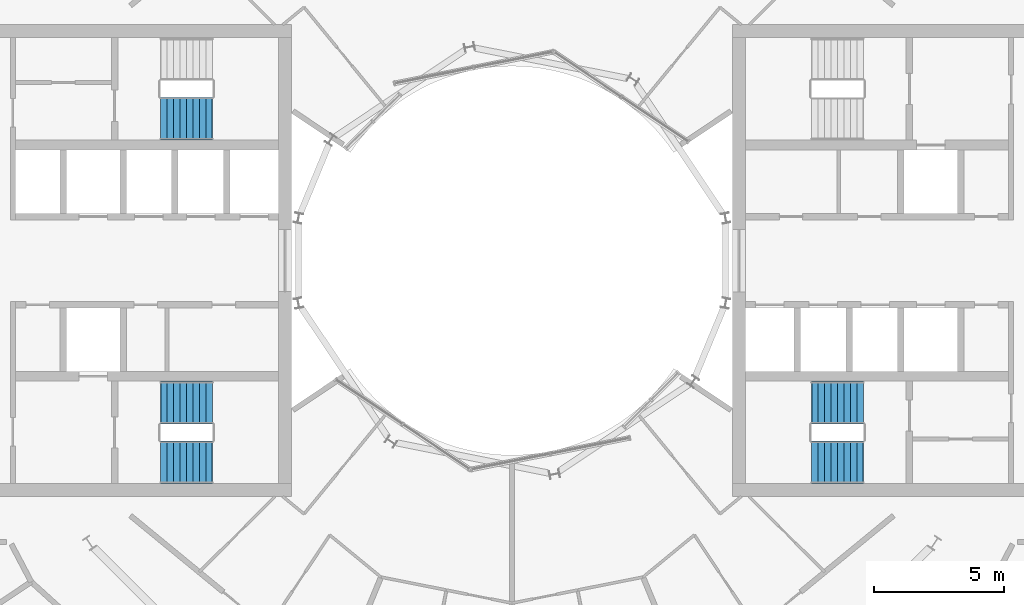
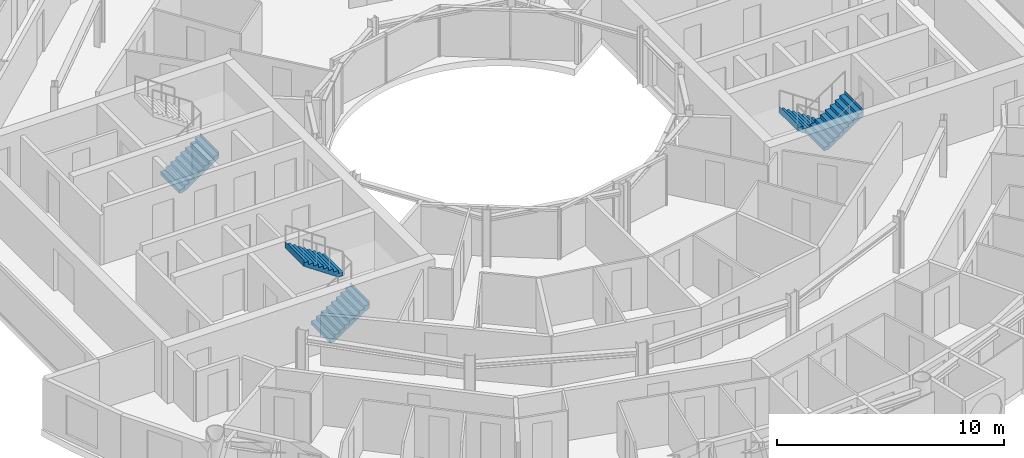
# One storey, part 24 of 27: 5 stair flights, 3 elements without a shape of their own.
"""IFC4 building model written with IfcOpenShell, lengths in metres."""

import ifcopenshell
import ifcopenshell.guid

model = None  # the IFC model being written
_history = None  # IfcOwnerHistory: only IFC2X3 demands one
_inside = {}  # id of a spatial element -> (the spatial element, [elements in it])
_under = {}  # id of a project, library or spatial element -> (it, [spatial elements below it])
_declared = {}  # id of a project -> (the project, [libraries it declares])
_typed = {}  # id of a type object -> (the type object, [elements of that type])
_made_of = {}  # id of a material, layer set ... -> (it, [elements and type objects made of it])


def new_model(schema):
    """Start an empty IFC model of exactly this schema.

    Asked for "IFC4X3", IfcOpenShell would pick the latest addendum, in which some entities
    have other attributes; the version numbers below select the first issue.
    IFC2X3 requires an IfcOwnerHistory on every rooted entity: one is made here for all.
    """
    global model, _history
    if schema == "IFC4X3":
        model = ifcopenshell.file(schema_version=(4, 3, 0, 0))
    else:
        model = ifcopenshell.file(schema=schema)
    _inside.clear()
    _under.clear()
    _declared.clear()
    _typed.clear()
    _made_of.clear()
    _history = None
    if model.schema == "IFC2X3":
        org = make("IfcOrganization", Name="unknown")
        user = make(
            "IfcPersonAndOrganization",
            ThePerson=make("IfcPerson", FamilyName="unknown"),
            TheOrganization=org,
        )
        app = make(
            "IfcApplication",
            ApplicationDeveloper=org,
            Version="unknown",
            ApplicationFullName="unknown",
            ApplicationIdentifier="unknown",
        )
        _history = make(
            "IfcOwnerHistory",
            OwningUser=user,
            OwningApplication=app,
            ChangeAction="ADDED",
            CreationDate=0,
        )
    return model


def make(cls, **values):
    """One entity of the class cls with the attributes given. An attribute that is None is left unset."""
    return model.create_entity(
        cls, **{name: value for name, value in values.items() if value is not None}
    )


def rooted(cls, **values):
    """An entity with a GlobalId (a new one), such as an element, a storey or a relation."""
    return make(cls, GlobalId=ifcopenshell.guid.new(), OwnerHistory=_history, **values)


def si_unit(unit_type, name, prefix=None):
    """IfcSIUnit, for example si_unit("LENGTHUNIT", "METRE", prefix="MILLI")."""
    return make("IfcSIUnit", UnitType=unit_type, Prefix=prefix, Name=name)


def assignment(units):
    """IfcUnitAssignment: the units of a project."""
    return None if units is None else make("IfcUnitAssignment", Units=units)


def point(xyz):
    """IfcCartesianPoint."""
    return None if xyz is None else make("IfcCartesianPoint", Coordinates=xyz)


def direction(xyz):
    """IfcDirection."""
    return None if xyz is None else make("IfcDirection", DirectionRatios=xyz)


def frame(location, z_axis=None, x_axis=None):
    """IfcAxis2Placement3D, a coordinate frame: its origin and axes. An axis left out is left unset."""
    return make(
        "IfcAxis2Placement3D",
        Location=point(location),
        Axis=direction(z_axis),
        RefDirection=direction(x_axis),
    )


def origin():
    """The frame at (0, 0, 0) with its axes left unset."""
    return frame((0.0, 0.0, 0.0))


def place(relative_to, where):
    """IfcLocalPlacement: puts the frame where relative to a parent placement (None: the world)."""
    return make(
        "IfcLocalPlacement", PlacementRelTo=relative_to, RelativePlacement=where
    )


def context(
    kind, dimensions, precision=None, world=None, true_north=None, identifier=None
):
    """IfcGeometricRepresentationContext, for example the 3D "Model" context."""
    return make(
        "IfcGeometricRepresentationContext",
        ContextIdentifier=identifier,
        ContextType=kind,
        CoordinateSpaceDimension=dimensions,
        Precision=precision,
        WorldCoordinateSystem=world,
        TrueNorth=true_north,
    )


def subcontext(parent, identifier, kind, view, scale=None):
    """IfcGeometricRepresentationSubContext, for example "Body" below "Model"."""
    return make(
        "IfcGeometricRepresentationSubContext",
        ContextIdentifier=identifier,
        ContextType=kind,
        ParentContext=parent,
        TargetScale=scale,
        TargetView=view,
    )


def project(units=None, contexts=None):
    """IfcProject with its units and contexts."""
    return rooted(
        "IfcProject",
        Name="project",
        RepresentationContexts=contexts,
        UnitsInContext=assignment(units),
    )


def spatial(cls, under=None, at=None, **own):
    """A site, building, storey or space (cls), placed at a placement, below another one or the project."""
    s = rooted(cls, ObjectPlacement=at, **own)
    if under is not None:
        _under.setdefault(under.id(), (under, []))[1].append(s)
    return s


def point_list(points):
    """IfcCartesianPointList2D or 3D."""
    cls = (
        "IfcCartesianPointList2D" if len(points[0]) == 2 else "IfcCartesianPointList3D"
    )
    return make(cls, CoordList=points)


def triangles(points, corners, closed=None, point_numbers=None):
    """IfcTriangulatedFaceSet: each triangle names its three corners, points numbered from 1."""
    return make(
        "IfcTriangulatedFaceSet",
        Coordinates=point_list(points),
        Closed=closed,
        CoordIndex=corners,
        PnIndex=point_numbers,
    )


def shape(context_of_items, identifier, shape_type, items):
    """IfcShapeRepresentation: the items that make up one representation, for example the "Body"."""
    return make(
        "IfcShapeRepresentation",
        ContextOfItems=context_of_items,
        RepresentationIdentifier=identifier,
        RepresentationType=shape_type,
        Items=items,
    )


def material(Name=None, Category=None):
    """IfcMaterial."""
    return make("IfcMaterial", Name=Name, Category=Category)


def made_of(thing, what):
    """Note that an element or type object is made of a material, layer set ...; save() writes the relation."""
    if what is not None:
        _made_of.setdefault(what.id(), (what, []))[1].append(thing)
    return thing


def type_object(cls, material=None, **own):
    """A type object (cls), such as IfcWallType, which elements share."""
    return made_of(rooted(cls, **own), material)


def element(
    cls,
    number,
    at=None,
    inside=None,
    cuts=None,
    type_object=None,
    material=None,
    context=None,
    identifier="Body",
    shape_type=None,
    held_by="IfcProductDefinitionShape",
    body=None,
    shapes=None,
    **own,
):
    """One element of the class cls, such as IfcWall. Its Tag is "e" and its number.

    at: its placement. inside: the storey or other place that contains it. cuts: it is an
    opening in that element (IfcRelVoidsElement). A single representation is given by context,
    identifier, shape_type and body (its items); several are given by shapes. held_by: the class
    of the entity that holds the representations. save() writes the other relations.
    """
    e = rooted(cls, Tag="e%d" % number, ObjectPlacement=at, **own)
    if body is not None:
        shapes = [shape(context, identifier, shape_type, body)]
    if shapes is not None:
        e.Representation = make(held_by, Representations=shapes)
    if inside is not None:
        _inside.setdefault(inside.id(), (inside, []))[1].append(e)
    if cuts is not None:
        rooted(
            "IfcRelVoidsElement", RelatingBuildingElement=cuts, RelatedOpeningElement=e
        )
    if type_object is not None:
        _typed.setdefault(type_object.id(), (type_object, []))[1].append(e)
    return made_of(e, material)


def aggregate(whole, parts):
    """IfcRelAggregates: a whole, such as a stair, and the parts it consists of."""
    return rooted("IfcRelAggregates", RelatingObject=whole, RelatedObjects=parts)


def save(model, path):
    """Write the relations noted so far, then the file.

    IfcRelAggregates (storeys below a building ...), IfcRelContainedInSpatialStructure (elements
    in a storey), IfcRelDefinesByType, IfcRelAssociatesMaterial and IfcRelDeclares: one each for
    every whole, place, type object, material and project.
    """
    for whole, parts in _under.values():
        aggregate(whole, parts)
    for where, things in _inside.values():
        rooted(
            "IfcRelContainedInSpatialStructure",
            RelatedElements=things,
            RelatingStructure=where,
        )
    for kind, things in _typed.values():
        rooted("IfcRelDefinesByType", RelatedObjects=things, RelatingType=kind)
    for what, things in _made_of.values():
        rooted("IfcRelAssociatesMaterial", RelatedObjects=things, RelatingMaterial=what)
    for by, libraries in _declared.values():
        rooted("IfcRelDeclares", RelatingContext=by, RelatedDefinitions=libraries)
    model.write(path)


model = new_model("IFC4")

# Units and contexts
model_context = context("Model", 3, precision=1e-05, world=origin(), true_north=direction((0.0, 1.0)))
body_context = subcontext(model_context, "Body", "Model", "MODEL_VIEW")
ifc_project = project(units=[si_unit("LENGTHUNIT", "METRE"), si_unit("AREAUNIT", "SQUARE_METRE"), si_unit("VOLUMEUNIT", "CUBIC_METRE"), si_unit("PLANEANGLEUNIT", "RADIAN"), si_unit("MASSUNIT", "GRAM", prefix="KILO")], contexts=[model_context])

# Site, building, storey
site_placement = place(None, origin())
site = spatial("IfcSite", under=ifc_project, at=site_placement, CompositionType="ELEMENT")
building_placement = place(site_placement, origin())
building = spatial("IfcBuilding", under=site, at=building_placement, Name="Maasbend Ring Residences", CompositionType="ELEMENT")
storey_placement = place(building_placement, frame((0.0, 0.0, 164.64990234375)))
storey = spatial("IfcBuildingStorey", under=building, at=storey_placement, Name="L47", CompositionType="ELEMENT", Elevation=164.64990234375)

# Stair, stair flights
ifc_material_1 = material(Name="Concrete C40/50", Category="concrete")
stair_type = type_object("IfcStairType", Name="CORE STAIR 18 RISERS", PredefinedType="HALF_TURN_STAIR", material=ifc_material_1)
stair_1_placement = place(storey_placement, origin())
stair_1 = element("IfcStair", 1, at=stair_1_placement, inside=storey, type_object=stair_type, Name="L47 Exit stair ST-E2", PredefinedType="HALF_TURN_STAIR")
ifc_material_2 = material(Name="Concrete C40/50", Category="concrete")
stair_flight_type = type_object("IfcStairFlightType", Name="CORE STAIR FLIGHT 1650", PredefinedType="STRAIGHT", material=ifc_material_2)
stair_flight_1_placement = place(storey_placement, frame((13.550048828125, -5.47509765625, 0.0), z_axis=(0.0, 0.0, 1.0), x_axis=(-1.0, 0.0, 0.0)))
stair_flight_1 = element("IfcStairFlight", 2, at=stair_flight_1_placement, type_object=stair_flight_type, Name="ST-E2 flight 1", NumberOfRisers=9, NumberOfTreads=8, PredefinedType="STRAIGHT", RiserHeight=0.169444444, TreadLength=0.25, context=body_context, shape_type="Tessellation", body=[
    triangles([(0.24072265625, 0.824951171875, -0.02001953125), (2.0029296875, 0.824951171875, 1.174560546875), (2.0029296875, 0.824951171875, 1.52490234375), (1.989990234375, 0.824951171875, 1.35546875), (1.75, 0.824951171875, 1.35546875), (1.75, 0.824951171875, 1.18603515625), (1.5, 0.824951171875, 1.18603515625), (1.5, 0.824951171875, 1.0166015625), (1.25, 0.824951171875, 1.0166015625), (1.25, 0.824951171875, 0.84716796875), (1.0, 0.824951171875, 0.84716796875), (1.0, 0.824951171875, 0.677734375), (0.75, 0.824951171875, 0.677734375), (0.75, 0.824951171875, 0.50830078125), (0.5, 0.824951171875, 0.50830078125), (0.5, 0.824951171875, 0.3388671875), (0.25, 0.824951171875, 0.3388671875), (0.25, 0.824951171875, 0.16943359375), (0.0, 0.824951171875, 0.16943359375), (0.0, 0.824951171875, 0.0), (-0.0029296875, 0.824951171875, 0.0), (-0.0029296875, 0.824951171875, -0.02001953125), (0.24072265625, 0.27490234375, -0.02001953125), (2.0029296875, 0.27490234375, 1.174560546875), (2.0029296875, 0.27490234375, 1.52490234375), (1.989990234375, 0.27490234375, 1.35546875), (1.75, 0.27490234375, 1.35546875), (1.75, 0.27490234375, 1.18603515625), (1.5, 0.27490234375, 1.18603515625), (1.5, 0.27490234375, 1.0166015625), (1.25, 0.27490234375, 1.0166015625), (1.25, 0.27490234375, 0.84716796875), (1.0, 0.27490234375, 0.84716796875), (1.0, 0.27490234375, 0.677734375), (0.75, 0.27490234375, 0.677734375), (0.75, 0.27490234375, 0.50830078125), (0.5, 0.27490234375, 0.50830078125), (0.5, 0.27490234375, 0.3388671875), (0.25, 0.27490234375, 0.3388671875), (0.25, 0.27490234375, 0.16943359375), (0.0, 0.27490234375, 0.16943359375), (0.0, 0.27490234375, 0.0), (-0.0029296875, 0.27490234375, 0.0), (-0.0029296875, 0.27490234375, -0.02001953125), (0.24072265625, -0.27490234375, -0.02001953125), (2.0029296875, -0.27490234375, 1.174560546875), (2.0029296875, -0.27490234375, 1.52490234375), (1.989990234375, -0.27490234375, 1.35546875), (1.75, -0.27490234375, 1.35546875), (1.75, -0.27490234375, 1.18603515625), (1.5, -0.27490234375, 1.18603515625), (1.5, -0.27490234375, 1.0166015625), (1.25, -0.27490234375, 1.0166015625), (1.25, -0.27490234375, 0.84716796875), (1.0, -0.27490234375, 0.84716796875), (1.0, -0.27490234375, 0.677734375), (0.75, -0.27490234375, 0.677734375), (0.75, -0.27490234375, 0.50830078125), (0.5, -0.27490234375, 0.50830078125), (0.5, -0.27490234375, 0.3388671875), (0.25, -0.27490234375, 0.3388671875), (0.25, -0.27490234375, 0.16943359375), (0.0, -0.27490234375, 0.16943359375), (0.0, -0.27490234375, 0.0), (-0.0029296875, -0.27490234375, 0.0), (-0.0029296875, -0.27490234375, -0.02001953125), (0.24072265625, -0.824951171875, -0.02001953125), (2.0029296875, -0.824951171875, 1.174560546875), (2.0029296875, -0.824951171875, 1.52490234375), (1.989990234375, -0.824951171875, 1.35546875), (1.75, -0.824951171875, 1.35546875), (1.75, -0.824951171875, 1.18603515625), (1.5, -0.824951171875, 1.18603515625), (1.5, -0.824951171875, 1.0166015625), (1.25, -0.824951171875, 1.0166015625), (1.25, -0.824951171875, 0.84716796875), (1.0, -0.824951171875, 0.84716796875), (1.0, -0.824951171875, 0.677734375), (0.75, -0.824951171875, 0.677734375), (0.75, -0.824951171875, 0.50830078125), (0.5, -0.824951171875, 0.50830078125), (0.5, -0.824951171875, 0.3388671875), (0.25, -0.824951171875, 0.3388671875), (0.25, -0.824951171875, 0.16943359375), (0.0, -0.824951171875, 0.16943359375), (0.0, -0.824951171875, 0.0), (-0.0029296875, -0.824951171875, 0.0), (-0.0029296875, -0.824951171875, -0.02001953125)], [[1, 2, 24], [1, 24, 23], [23, 24, 46], [23, 46, 45], [45, 46, 68], [45, 68, 67], [2, 3, 25], [2, 25, 24], [24, 25, 47], [24, 47, 46], [46, 47, 69], [46, 69, 68], [3, 4, 26], [3, 26, 25], [25, 26, 48], [25, 48, 47], [47, 48, 70], [47, 70, 69], [4, 5, 27], [4, 27, 26], [26, 27, 49], [26, 49, 48], [48, 49, 71], [48, 71, 70], [5, 6, 28], [5, 28, 27], [27, 28, 50], [27, 50, 49], [49, 50, 72], [49, 72, 71], [6, 7, 29], [6, 29, 28], [28, 29, 51], [28, 51, 50], [50, 51, 73], [50, 73, 72], [7, 8, 30], [7, 30, 29], [29, 30, 52], [29, 52, 51], [51, 52, 74], [51, 74, 73], [8, 9, 31], [8, 31, 30], [30, 31, 53], [30, 53, 52], [52, 53, 75], [52, 75, 74], [9, 10, 32], [9, 32, 31], [31, 32, 54], [31, 54, 53], [53, 54, 76], [53, 76, 75], [10, 11, 33], [10, 33, 32], [32, 33, 55], [32, 55, 54], [54, 55, 77], [54, 77, 76], [11, 12, 34], [11, 34, 33], [33, 34, 56], [33, 56, 55], [55, 56, 78], [55, 78, 77], [12, 13, 35], [12, 35, 34], [34, 35, 57], [34, 57, 56], [56, 57, 79], [56, 79, 78], [13, 14, 36], [13, 36, 35], [35, 36, 58], [35, 58, 57], [57, 58, 80], [57, 80, 79], [14, 15, 37], [14, 37, 36], [36, 37, 59], [36, 59, 58], [58, 59, 81], [58, 81, 80], [15, 16, 38], [15, 38, 37], [37, 38, 60], [37, 60, 59], [59, 60, 82], [59, 82, 81], [16, 17, 39], [16, 39, 38], [38, 39, 61], [38, 61, 60], [60, 61, 83], [60, 83, 82], [17, 18, 40], [17, 40, 39], [39, 40, 62], [39, 62, 61], [61, 62, 84], [61, 84, 83], [18, 19, 41], [18, 41, 40], [40, 41, 63], [40, 63, 62], [62, 63, 85], [62, 85, 84], [19, 20, 42], [19, 42, 41], [41, 42, 64], [41, 64, 63], [63, 64, 86], [63, 86, 85], [20, 21, 43], [20, 43, 42], [42, 43, 65], [42, 65, 64], [64, 65, 87], [64, 87, 86], [21, 22, 44], [21, 44, 43], [43, 44, 66], [43, 66, 65], [65, 66, 88], [65, 88, 87], [22, 1, 23], [22, 23, 44], [44, 23, 45], [44, 45, 66], [66, 45, 67], [66, 67, 88], [22, 2, 1], [2, 4, 3], [2, 5, 4], [2, 6, 5], [22, 6, 2], [6, 8, 7], [22, 8, 6], [8, 10, 9], [22, 10, 8], [10, 12, 11], [22, 12, 10], [12, 14, 13], [22, 14, 12], [14, 16, 15], [22, 16, 14], [16, 18, 17], [22, 18, 16], [18, 20, 19], [22, 20, 18], [20, 22, 21], [88, 67, 68], [68, 69, 70], [68, 70, 71], [68, 71, 72], [88, 68, 72], [72, 73, 74], [88, 72, 74], [74, 75, 76], [88, 74, 76], [76, 77, 78], [88, 76, 78], [78, 79, 80], [88, 78, 80], [80, 81, 82], [88, 80, 82], [82, 83, 84], [88, 82, 84], [84, 85, 86], [88, 84, 86], [86, 87, 88]], closed=True),
])
stair_flight_2_placement = place(storey_placement, frame((11.550048828125, -7.77490234375, 1.525146484375), z_axis=(0.0, 0.0, 1.0), x_axis=(1.0, 0.0, 0.0)))
stair_flight_2 = element("IfcStairFlight", 3, at=stair_flight_2_placement, type_object=stair_flight_type, Name="ST-E2 flight 2", NumberOfRisers=9, NumberOfTreads=8, PredefinedType="STRAIGHT", RiserHeight=0.169444444, TreadLength=0.25, context=body_context, shape_type="Tessellation", body=[
    triangles([(0.24072265625, 0.824951171875, -0.02001953125), (2.0029296875, 0.824951171875, 1.174560546875), (2.0029296875, 0.824951171875, 1.52490234375), (1.989990234375, 0.824951171875, 1.35546875), (1.75, 0.824951171875, 1.35546875), (1.75, 0.824951171875, 1.18603515625), (1.5, 0.824951171875, 1.18603515625), (1.5, 0.824951171875, 1.0166015625), (1.25, 0.824951171875, 1.0166015625), (1.25, 0.824951171875, 0.84716796875), (1.0, 0.824951171875, 0.84716796875), (1.0, 0.824951171875, 0.677734375), (0.75, 0.824951171875, 0.677734375), (0.75, 0.824951171875, 0.50830078125), (0.5, 0.824951171875, 0.50830078125), (0.5, 0.824951171875, 0.3388671875), (0.25, 0.824951171875, 0.3388671875), (0.25, 0.824951171875, 0.16943359375), (0.0, 0.824951171875, 0.16943359375), (0.0, 0.824951171875, 0.0), (-0.0029296875, 0.824951171875, 0.0), (-0.0029296875, 0.824951171875, -0.02001953125), (0.24072265625, 0.27490234375, -0.02001953125), (2.0029296875, 0.27490234375, 1.174560546875), (2.0029296875, 0.27490234375, 1.52490234375), (1.989990234375, 0.27490234375, 1.35546875), (1.75, 0.27490234375, 1.35546875), (1.75, 0.27490234375, 1.18603515625), (1.5, 0.27490234375, 1.18603515625), (1.5, 0.27490234375, 1.0166015625), (1.25, 0.27490234375, 1.0166015625), (1.25, 0.27490234375, 0.84716796875), (1.0, 0.27490234375, 0.84716796875), (1.0, 0.27490234375, 0.677734375), (0.75, 0.27490234375, 0.677734375), (0.75, 0.27490234375, 0.50830078125), (0.5, 0.27490234375, 0.50830078125), (0.5, 0.27490234375, 0.3388671875), (0.25, 0.27490234375, 0.3388671875), (0.25, 0.27490234375, 0.16943359375), (0.0, 0.27490234375, 0.16943359375), (0.0, 0.27490234375, 0.0), (-0.0029296875, 0.27490234375, 0.0), (-0.0029296875, 0.27490234375, -0.02001953125), (0.24072265625, -0.27490234375, -0.02001953125), (2.0029296875, -0.27490234375, 1.174560546875), (2.0029296875, -0.27490234375, 1.52490234375), (1.989990234375, -0.27490234375, 1.35546875), (1.75, -0.27490234375, 1.35546875), (1.75, -0.27490234375, 1.18603515625), (1.5, -0.27490234375, 1.18603515625), (1.5, -0.27490234375, 1.0166015625), (1.25, -0.27490234375, 1.0166015625), (1.25, -0.27490234375, 0.84716796875), (1.0, -0.27490234375, 0.84716796875), (1.0, -0.27490234375, 0.677734375), (0.75, -0.27490234375, 0.677734375), (0.75, -0.27490234375, 0.50830078125), (0.5, -0.27490234375, 0.50830078125), (0.5, -0.27490234375, 0.3388671875), (0.25, -0.27490234375, 0.3388671875), (0.25, -0.27490234375, 0.16943359375), (0.0, -0.27490234375, 0.16943359375), (0.0, -0.27490234375, 0.0), (-0.0029296875, -0.27490234375, 0.0), (-0.0029296875, -0.27490234375, -0.02001953125), (0.24072265625, -0.824951171875, -0.02001953125), (2.0029296875, -0.824951171875, 1.174560546875), (2.0029296875, -0.824951171875, 1.52490234375), (1.989990234375, -0.824951171875, 1.35546875), (1.75, -0.824951171875, 1.35546875), (1.75, -0.824951171875, 1.18603515625), (1.5, -0.824951171875, 1.18603515625), (1.5, -0.824951171875, 1.0166015625), (1.25, -0.824951171875, 1.0166015625), (1.25, -0.824951171875, 0.84716796875), (1.0, -0.824951171875, 0.84716796875), (1.0, -0.824951171875, 0.677734375), (0.75, -0.824951171875, 0.677734375), (0.75, -0.824951171875, 0.50830078125), (0.5, -0.824951171875, 0.50830078125), (0.5, -0.824951171875, 0.3388671875), (0.25, -0.824951171875, 0.3388671875), (0.25, -0.824951171875, 0.16943359375), (0.0, -0.824951171875, 0.16943359375), (0.0, -0.824951171875, 0.0), (-0.0029296875, -0.824951171875, 0.0), (-0.0029296875, -0.824951171875, -0.02001953125)], [[1, 2, 24], [1, 24, 23], [23, 24, 46], [23, 46, 45], [45, 46, 68], [45, 68, 67], [2, 3, 25], [2, 25, 24], [24, 25, 47], [24, 47, 46], [46, 47, 69], [46, 69, 68], [3, 4, 26], [3, 26, 25], [25, 26, 48], [25, 48, 47], [47, 48, 70], [47, 70, 69], [4, 5, 27], [4, 27, 26], [26, 27, 49], [26, 49, 48], [48, 49, 71], [48, 71, 70], [5, 6, 28], [5, 28, 27], [27, 28, 50], [27, 50, 49], [49, 50, 72], [49, 72, 71], [6, 7, 29], [6, 29, 28], [28, 29, 51], [28, 51, 50], [50, 51, 73], [50, 73, 72], [7, 8, 30], [7, 30, 29], [29, 30, 52], [29, 52, 51], [51, 52, 74], [51, 74, 73], [8, 9, 31], [8, 31, 30], [30, 31, 53], [30, 53, 52], [52, 53, 75], [52, 75, 74], [9, 10, 32], [9, 32, 31], [31, 32, 54], [31, 54, 53], [53, 54, 76], [53, 76, 75], [10, 11, 33], [10, 33, 32], [32, 33, 55], [32, 55, 54], [54, 55, 77], [54, 77, 76], [11, 12, 34], [11, 34, 33], [33, 34, 56], [33, 56, 55], [55, 56, 78], [55, 78, 77], [12, 13, 35], [12, 35, 34], [34, 35, 57], [34, 57, 56], [56, 57, 79], [56, 79, 78], [13, 14, 36], [13, 36, 35], [35, 36, 58], [35, 58, 57], [57, 58, 80], [57, 80, 79], [14, 15, 37], [14, 37, 36], [36, 37, 59], [36, 59, 58], [58, 59, 81], [58, 81, 80], [15, 16, 38], [15, 38, 37], [37, 38, 60], [37, 60, 59], [59, 60, 82], [59, 82, 81], [16, 17, 39], [16, 39, 38], [38, 39, 61], [38, 61, 60], [60, 61, 83], [60, 83, 82], [17, 18, 40], [17, 40, 39], [39, 40, 62], [39, 62, 61], [61, 62, 84], [61, 84, 83], [18, 19, 41], [18, 41, 40], [40, 41, 63], [40, 63, 62], [62, 63, 85], [62, 85, 84], [19, 20, 42], [19, 42, 41], [41, 42, 64], [41, 64, 63], [63, 64, 86], [63, 86, 85], [20, 21, 43], [20, 43, 42], [42, 43, 65], [42, 65, 64], [64, 65, 87], [64, 87, 86], [21, 22, 44], [21, 44, 43], [43, 44, 66], [43, 66, 65], [65, 66, 88], [65, 88, 87], [22, 1, 23], [22, 23, 44], [44, 23, 45], [44, 45, 66], [66, 45, 67], [66, 67, 88], [22, 2, 1], [2, 4, 3], [2, 5, 4], [2, 6, 5], [22, 6, 2], [6, 8, 7], [22, 8, 6], [8, 10, 9], [22, 10, 8], [10, 12, 11], [22, 12, 10], [12, 14, 13], [22, 14, 12], [14, 16, 15], [22, 16, 14], [16, 18, 17], [22, 18, 16], [18, 20, 19], [22, 20, 18], [20, 22, 21], [88, 67, 68], [68, 69, 70], [68, 70, 71], [68, 71, 72], [88, 68, 72], [72, 73, 74], [88, 72, 74], [74, 75, 76], [88, 74, 76], [76, 77, 78], [88, 76, 78], [78, 79, 80], [88, 78, 80], [80, 81, 82], [88, 80, 82], [82, 83, 84], [88, 82, 84], [84, 85, 86], [88, 84, 86], [86, 87, 88]], closed=True),
])
aggregate(stair_1, [stair_flight_1, stair_flight_2])

stair_2_placement = place(storey_placement, origin())
stair_2 = element("IfcStair", 4, at=stair_2_placement, inside=storey, type_object=stair_type, Name="L47 Exit stair ST-W1", PredefinedType="HALF_TURN_STAIR")
stair_flight_3_placement = place(storey_placement, frame((-13.550048828125, -7.77490234375, 0.0), z_axis=(0.0, 0.0, 1.0), x_axis=(1.0, 0.0, 0.0)))
stair_flight_3 = element("IfcStairFlight", 5, at=stair_flight_3_placement, type_object=stair_flight_type, Name="ST-W1 flight 1", NumberOfRisers=9, NumberOfTreads=8, PredefinedType="STRAIGHT", RiserHeight=0.169444444, TreadLength=0.25, context=body_context, shape_type="Tessellation", body=[
    triangles([(0.24072265625, 0.824951171875, -0.02001953125), (2.0029296875, 0.824951171875, 1.174560546875), (2.0029296875, 0.824951171875, 1.52490234375), (1.989990234375, 0.824951171875, 1.35546875), (1.75, 0.824951171875, 1.35546875), (1.75, 0.824951171875, 1.18603515625), (1.5, 0.824951171875, 1.18603515625), (1.5, 0.824951171875, 1.0166015625), (1.25, 0.824951171875, 1.0166015625), (1.25, 0.824951171875, 0.84716796875), (1.0, 0.824951171875, 0.84716796875), (1.0, 0.824951171875, 0.677734375), (0.75, 0.824951171875, 0.677734375), (0.75, 0.824951171875, 0.50830078125), (0.5, 0.824951171875, 0.50830078125), (0.5, 0.824951171875, 0.3388671875), (0.25, 0.824951171875, 0.3388671875), (0.25, 0.824951171875, 0.16943359375), (0.0, 0.824951171875, 0.16943359375), (0.0, 0.824951171875, 0.0), (-0.0029296875, 0.824951171875, 0.0), (-0.0029296875, 0.824951171875, -0.02001953125), (0.24072265625, 0.27490234375, -0.02001953125), (2.0029296875, 0.27490234375, 1.174560546875), (2.0029296875, 0.27490234375, 1.52490234375), (1.989990234375, 0.27490234375, 1.35546875), (1.75, 0.27490234375, 1.35546875), (1.75, 0.27490234375, 1.18603515625), (1.5, 0.27490234375, 1.18603515625), (1.5, 0.27490234375, 1.0166015625), (1.25, 0.27490234375, 1.0166015625), (1.25, 0.27490234375, 0.84716796875), (1.0, 0.27490234375, 0.84716796875), (1.0, 0.27490234375, 0.677734375), (0.75, 0.27490234375, 0.677734375), (0.75, 0.27490234375, 0.50830078125), (0.5, 0.27490234375, 0.50830078125), (0.5, 0.27490234375, 0.3388671875), (0.25, 0.27490234375, 0.3388671875), (0.25, 0.27490234375, 0.16943359375), (0.0, 0.27490234375, 0.16943359375), (0.0, 0.27490234375, 0.0), (-0.0029296875, 0.27490234375, 0.0), (-0.0029296875, 0.27490234375, -0.02001953125), (0.24072265625, -0.27490234375, -0.02001953125), (2.0029296875, -0.27490234375, 1.174560546875), (2.0029296875, -0.27490234375, 1.52490234375), (1.989990234375, -0.27490234375, 1.35546875), (1.75, -0.27490234375, 1.35546875), (1.75, -0.27490234375, 1.18603515625), (1.5, -0.27490234375, 1.18603515625), (1.5, -0.27490234375, 1.0166015625), (1.25, -0.27490234375, 1.0166015625), (1.25, -0.27490234375, 0.84716796875), (1.0, -0.27490234375, 0.84716796875), (1.0, -0.27490234375, 0.677734375), (0.75, -0.27490234375, 0.677734375), (0.75, -0.27490234375, 0.50830078125), (0.5, -0.27490234375, 0.50830078125), (0.5, -0.27490234375, 0.3388671875), (0.25, -0.27490234375, 0.3388671875), (0.25, -0.27490234375, 0.16943359375), (0.0, -0.27490234375, 0.16943359375), (0.0, -0.27490234375, 0.0), (-0.0029296875, -0.27490234375, 0.0), (-0.0029296875, -0.27490234375, -0.02001953125), (0.24072265625, -0.824951171875, -0.02001953125), (2.0029296875, -0.824951171875, 1.174560546875), (2.0029296875, -0.824951171875, 1.52490234375), (1.989990234375, -0.824951171875, 1.35546875), (1.75, -0.824951171875, 1.35546875), (1.75, -0.824951171875, 1.18603515625), (1.5, -0.824951171875, 1.18603515625), (1.5, -0.824951171875, 1.0166015625), (1.25, -0.824951171875, 1.0166015625), (1.25, -0.824951171875, 0.84716796875), (1.0, -0.824951171875, 0.84716796875), (1.0, -0.824951171875, 0.677734375), (0.75, -0.824951171875, 0.677734375), (0.75, -0.824951171875, 0.50830078125), (0.5, -0.824951171875, 0.50830078125), (0.5, -0.824951171875, 0.3388671875), (0.25, -0.824951171875, 0.3388671875), (0.25, -0.824951171875, 0.16943359375), (0.0, -0.824951171875, 0.16943359375), (0.0, -0.824951171875, 0.0), (-0.0029296875, -0.824951171875, 0.0), (-0.0029296875, -0.824951171875, -0.02001953125)], [[1, 2, 24], [1, 24, 23], [23, 24, 46], [23, 46, 45], [45, 46, 68], [45, 68, 67], [2, 3, 25], [2, 25, 24], [24, 25, 47], [24, 47, 46], [46, 47, 69], [46, 69, 68], [3, 4, 26], [3, 26, 25], [25, 26, 48], [25, 48, 47], [47, 48, 70], [47, 70, 69], [4, 5, 27], [4, 27, 26], [26, 27, 49], [26, 49, 48], [48, 49, 71], [48, 71, 70], [5, 6, 28], [5, 28, 27], [27, 28, 50], [27, 50, 49], [49, 50, 72], [49, 72, 71], [6, 7, 29], [6, 29, 28], [28, 29, 51], [28, 51, 50], [50, 51, 73], [50, 73, 72], [7, 8, 30], [7, 30, 29], [29, 30, 52], [29, 52, 51], [51, 52, 74], [51, 74, 73], [8, 9, 31], [8, 31, 30], [30, 31, 53], [30, 53, 52], [52, 53, 75], [52, 75, 74], [9, 10, 32], [9, 32, 31], [31, 32, 54], [31, 54, 53], [53, 54, 76], [53, 76, 75], [10, 11, 33], [10, 33, 32], [32, 33, 55], [32, 55, 54], [54, 55, 77], [54, 77, 76], [11, 12, 34], [11, 34, 33], [33, 34, 56], [33, 56, 55], [55, 56, 78], [55, 78, 77], [12, 13, 35], [12, 35, 34], [34, 35, 57], [34, 57, 56], [56, 57, 79], [56, 79, 78], [13, 14, 36], [13, 36, 35], [35, 36, 58], [35, 58, 57], [57, 58, 80], [57, 80, 79], [14, 15, 37], [14, 37, 36], [36, 37, 59], [36, 59, 58], [58, 59, 81], [58, 81, 80], [15, 16, 38], [15, 38, 37], [37, 38, 60], [37, 60, 59], [59, 60, 82], [59, 82, 81], [16, 17, 39], [16, 39, 38], [38, 39, 61], [38, 61, 60], [60, 61, 83], [60, 83, 82], [17, 18, 40], [17, 40, 39], [39, 40, 62], [39, 62, 61], [61, 62, 84], [61, 84, 83], [18, 19, 41], [18, 41, 40], [40, 41, 63], [40, 63, 62], [62, 63, 85], [62, 85, 84], [19, 20, 42], [19, 42, 41], [41, 42, 64], [41, 64, 63], [63, 64, 86], [63, 86, 85], [20, 21, 43], [20, 43, 42], [42, 43, 65], [42, 65, 64], [64, 65, 87], [64, 87, 86], [21, 22, 44], [21, 44, 43], [43, 44, 66], [43, 66, 65], [65, 66, 88], [65, 88, 87], [22, 1, 23], [22, 23, 44], [44, 23, 45], [44, 45, 66], [66, 45, 67], [66, 67, 88], [22, 2, 1], [2, 4, 3], [2, 5, 4], [2, 6, 5], [22, 6, 2], [6, 8, 7], [22, 8, 6], [8, 10, 9], [22, 10, 8], [10, 12, 11], [22, 12, 10], [12, 14, 13], [22, 14, 12], [14, 16, 15], [22, 16, 14], [16, 18, 17], [22, 18, 16], [18, 20, 19], [22, 20, 18], [20, 22, 21], [88, 67, 68], [68, 69, 70], [68, 70, 71], [68, 71, 72], [88, 68, 72], [72, 73, 74], [88, 72, 74], [74, 75, 76], [88, 74, 76], [76, 77, 78], [88, 76, 78], [78, 79, 80], [88, 78, 80], [80, 81, 82], [88, 80, 82], [82, 83, 84], [88, 82, 84], [84, 85, 86], [88, 84, 86], [86, 87, 88]], closed=True),
])
stair_flight_4_placement = place(storey_placement, frame((-11.550048828125, -5.47509765625, 1.525146484375), z_axis=(0.0, 0.0, 1.0), x_axis=(-1.0, 0.0, 0.0)))
stair_flight_4 = element("IfcStairFlight", 6, at=stair_flight_4_placement, type_object=stair_flight_type, Name="ST-W1 flight 2", NumberOfRisers=9, NumberOfTreads=8, PredefinedType="STRAIGHT", RiserHeight=0.169444444, TreadLength=0.25, context=body_context, shape_type="Tessellation", body=[
    triangles([(0.24072265625, 0.824951171875, -0.02001953125), (2.0029296875, 0.824951171875, 1.174560546875), (2.0029296875, 0.824951171875, 1.52490234375), (1.989990234375, 0.824951171875, 1.35546875), (1.75, 0.824951171875, 1.35546875), (1.75, 0.824951171875, 1.18603515625), (1.5, 0.824951171875, 1.18603515625), (1.5, 0.824951171875, 1.0166015625), (1.25, 0.824951171875, 1.0166015625), (1.25, 0.824951171875, 0.84716796875), (1.0, 0.824951171875, 0.84716796875), (1.0, 0.824951171875, 0.677734375), (0.75, 0.824951171875, 0.677734375), (0.75, 0.824951171875, 0.50830078125), (0.5, 0.824951171875, 0.50830078125), (0.5, 0.824951171875, 0.3388671875), (0.25, 0.824951171875, 0.3388671875), (0.25, 0.824951171875, 0.16943359375), (0.0, 0.824951171875, 0.16943359375), (0.0, 0.824951171875, 0.0), (-0.0029296875, 0.824951171875, 0.0), (-0.0029296875, 0.824951171875, -0.02001953125), (0.24072265625, 0.27490234375, -0.02001953125), (2.0029296875, 0.27490234375, 1.174560546875), (2.0029296875, 0.27490234375, 1.52490234375), (1.989990234375, 0.27490234375, 1.35546875), (1.75, 0.27490234375, 1.35546875), (1.75, 0.27490234375, 1.18603515625), (1.5, 0.27490234375, 1.18603515625), (1.5, 0.27490234375, 1.0166015625), (1.25, 0.27490234375, 1.0166015625), (1.25, 0.27490234375, 0.84716796875), (1.0, 0.27490234375, 0.84716796875), (1.0, 0.27490234375, 0.677734375), (0.75, 0.27490234375, 0.677734375), (0.75, 0.27490234375, 0.50830078125), (0.5, 0.27490234375, 0.50830078125), (0.5, 0.27490234375, 0.3388671875), (0.25, 0.27490234375, 0.3388671875), (0.25, 0.27490234375, 0.16943359375), (0.0, 0.27490234375, 0.16943359375), (0.0, 0.27490234375, 0.0), (-0.0029296875, 0.27490234375, 0.0), (-0.0029296875, 0.27490234375, -0.02001953125), (0.24072265625, -0.27490234375, -0.02001953125), (2.0029296875, -0.27490234375, 1.174560546875), (2.0029296875, -0.27490234375, 1.52490234375), (1.989990234375, -0.27490234375, 1.35546875), (1.75, -0.27490234375, 1.35546875), (1.75, -0.27490234375, 1.18603515625), (1.5, -0.27490234375, 1.18603515625), (1.5, -0.27490234375, 1.0166015625), (1.25, -0.27490234375, 1.0166015625), (1.25, -0.27490234375, 0.84716796875), (1.0, -0.27490234375, 0.84716796875), (1.0, -0.27490234375, 0.677734375), (0.75, -0.27490234375, 0.677734375), (0.75, -0.27490234375, 0.50830078125), (0.5, -0.27490234375, 0.50830078125), (0.5, -0.27490234375, 0.3388671875), (0.25, -0.27490234375, 0.3388671875), (0.25, -0.27490234375, 0.16943359375), (0.0, -0.27490234375, 0.16943359375), (0.0, -0.27490234375, 0.0), (-0.0029296875, -0.27490234375, 0.0), (-0.0029296875, -0.27490234375, -0.02001953125), (0.24072265625, -0.824951171875, -0.02001953125), (2.0029296875, -0.824951171875, 1.174560546875), (2.0029296875, -0.824951171875, 1.52490234375), (1.989990234375, -0.824951171875, 1.35546875), (1.75, -0.824951171875, 1.35546875), (1.75, -0.824951171875, 1.18603515625), (1.5, -0.824951171875, 1.18603515625), (1.5, -0.824951171875, 1.0166015625), (1.25, -0.824951171875, 1.0166015625), (1.25, -0.824951171875, 0.84716796875), (1.0, -0.824951171875, 0.84716796875), (1.0, -0.824951171875, 0.677734375), (0.75, -0.824951171875, 0.677734375), (0.75, -0.824951171875, 0.50830078125), (0.5, -0.824951171875, 0.50830078125), (0.5, -0.824951171875, 0.3388671875), (0.25, -0.824951171875, 0.3388671875), (0.25, -0.824951171875, 0.16943359375), (0.0, -0.824951171875, 0.16943359375), (0.0, -0.824951171875, 0.0), (-0.0029296875, -0.824951171875, 0.0), (-0.0029296875, -0.824951171875, -0.02001953125)], [[1, 2, 24], [1, 24, 23], [23, 24, 46], [23, 46, 45], [45, 46, 68], [45, 68, 67], [2, 3, 25], [2, 25, 24], [24, 25, 47], [24, 47, 46], [46, 47, 69], [46, 69, 68], [3, 4, 26], [3, 26, 25], [25, 26, 48], [25, 48, 47], [47, 48, 70], [47, 70, 69], [4, 5, 27], [4, 27, 26], [26, 27, 49], [26, 49, 48], [48, 49, 71], [48, 71, 70], [5, 6, 28], [5, 28, 27], [27, 28, 50], [27, 50, 49], [49, 50, 72], [49, 72, 71], [6, 7, 29], [6, 29, 28], [28, 29, 51], [28, 51, 50], [50, 51, 73], [50, 73, 72], [7, 8, 30], [7, 30, 29], [29, 30, 52], [29, 52, 51], [51, 52, 74], [51, 74, 73], [8, 9, 31], [8, 31, 30], [30, 31, 53], [30, 53, 52], [52, 53, 75], [52, 75, 74], [9, 10, 32], [9, 32, 31], [31, 32, 54], [31, 54, 53], [53, 54, 76], [53, 76, 75], [10, 11, 33], [10, 33, 32], [32, 33, 55], [32, 55, 54], [54, 55, 77], [54, 77, 76], [11, 12, 34], [11, 34, 33], [33, 34, 56], [33, 56, 55], [55, 56, 78], [55, 78, 77], [12, 13, 35], [12, 35, 34], [34, 35, 57], [34, 57, 56], [56, 57, 79], [56, 79, 78], [13, 14, 36], [13, 36, 35], [35, 36, 58], [35, 58, 57], [57, 58, 80], [57, 80, 79], [14, 15, 37], [14, 37, 36], [36, 37, 59], [36, 59, 58], [58, 59, 81], [58, 81, 80], [15, 16, 38], [15, 38, 37], [37, 38, 60], [37, 60, 59], [59, 60, 82], [59, 82, 81], [16, 17, 39], [16, 39, 38], [38, 39, 61], [38, 61, 60], [60, 61, 83], [60, 83, 82], [17, 18, 40], [17, 40, 39], [39, 40, 62], [39, 62, 61], [61, 62, 84], [61, 84, 83], [18, 19, 41], [18, 41, 40], [40, 41, 63], [40, 63, 62], [62, 63, 85], [62, 85, 84], [19, 20, 42], [19, 42, 41], [41, 42, 64], [41, 64, 63], [63, 64, 86], [63, 86, 85], [20, 21, 43], [20, 43, 42], [42, 43, 65], [42, 65, 64], [64, 65, 87], [64, 87, 86], [21, 22, 44], [21, 44, 43], [43, 44, 66], [43, 66, 65], [65, 66, 88], [65, 88, 87], [22, 1, 23], [22, 23, 44], [44, 23, 45], [44, 45, 66], [66, 45, 67], [66, 67, 88], [22, 2, 1], [2, 4, 3], [2, 5, 4], [2, 6, 5], [22, 6, 2], [6, 8, 7], [22, 8, 6], [8, 10, 9], [22, 10, 8], [10, 12, 11], [22, 12, 10], [12, 14, 13], [22, 14, 12], [14, 16, 15], [22, 16, 14], [16, 18, 17], [22, 18, 16], [18, 20, 19], [22, 20, 18], [20, 22, 21], [88, 67, 68], [68, 69, 70], [68, 70, 71], [68, 71, 72], [88, 68, 72], [72, 73, 74], [88, 72, 74], [74, 75, 76], [88, 74, 76], [76, 77, 78], [88, 76, 78], [78, 79, 80], [88, 78, 80], [80, 81, 82], [88, 80, 82], [82, 83, 84], [88, 82, 84], [84, 85, 86], [88, 84, 86], [86, 87, 88]], closed=True),
])
aggregate(stair_2, [stair_flight_3, stair_flight_4])

# Stair, stair flight
stair_3_placement = place(storey_placement, origin())
stair_3 = element("IfcStair", 7, at=stair_3_placement, inside=storey, type_object=stair_type, Name="L47 Exit stair ST-W2", PredefinedType="HALF_TURN_STAIR")
stair_flight_5_placement = place(storey_placement, frame((-13.550048828125, 5.47509765625, 0.0), z_axis=(0.0, 0.0, 1.0), x_axis=(1.0, 0.0, 0.0)))
stair_flight_5 = element("IfcStairFlight", 8, at=stair_flight_5_placement, type_object=stair_flight_type, Name="ST-W2 flight 1", NumberOfRisers=9, NumberOfTreads=8, PredefinedType="STRAIGHT", RiserHeight=0.169444444, TreadLength=0.25, context=body_context, shape_type="Tessellation", body=[
    triangles([(0.24072265625, 0.824951171875, -0.02001953125), (2.0029296875, 0.824951171875, 1.174560546875), (2.0029296875, 0.824951171875, 1.52490234375), (1.989990234375, 0.824951171875, 1.35546875), (1.75, 0.824951171875, 1.35546875), (1.75, 0.824951171875, 1.18603515625), (1.5, 0.824951171875, 1.18603515625), (1.5, 0.824951171875, 1.0166015625), (1.25, 0.824951171875, 1.0166015625), (1.25, 0.824951171875, 0.84716796875), (1.0, 0.824951171875, 0.84716796875), (1.0, 0.824951171875, 0.677734375), (0.75, 0.824951171875, 0.677734375), (0.75, 0.824951171875, 0.50830078125), (0.5, 0.824951171875, 0.50830078125), (0.5, 0.824951171875, 0.3388671875), (0.25, 0.824951171875, 0.3388671875), (0.25, 0.824951171875, 0.16943359375), (0.0, 0.824951171875, 0.16943359375), (0.0, 0.824951171875, 0.0), (-0.0029296875, 0.824951171875, 0.0), (-0.0029296875, 0.824951171875, -0.02001953125), (0.24072265625, 0.27490234375, -0.02001953125), (2.0029296875, 0.27490234375, 1.174560546875), (2.0029296875, 0.27490234375, 1.52490234375), (1.989990234375, 0.27490234375, 1.35546875), (1.75, 0.27490234375, 1.35546875), (1.75, 0.27490234375, 1.18603515625), (1.5, 0.27490234375, 1.18603515625), (1.5, 0.27490234375, 1.0166015625), (1.25, 0.27490234375, 1.0166015625), (1.25, 0.27490234375, 0.84716796875), (1.0, 0.27490234375, 0.84716796875), (1.0, 0.27490234375, 0.677734375), (0.75, 0.27490234375, 0.677734375), (0.75, 0.27490234375, 0.50830078125), (0.5, 0.27490234375, 0.50830078125), (0.5, 0.27490234375, 0.3388671875), (0.25, 0.27490234375, 0.3388671875), (0.25, 0.27490234375, 0.16943359375), (0.0, 0.27490234375, 0.16943359375), (0.0, 0.27490234375, 0.0), (-0.0029296875, 0.27490234375, 0.0), (-0.0029296875, 0.27490234375, -0.02001953125), (0.24072265625, -0.27490234375, -0.02001953125), (2.0029296875, -0.27490234375, 1.174560546875), (2.0029296875, -0.27490234375, 1.52490234375), (1.989990234375, -0.27490234375, 1.35546875), (1.75, -0.27490234375, 1.35546875), (1.75, -0.27490234375, 1.18603515625), (1.5, -0.27490234375, 1.18603515625), (1.5, -0.27490234375, 1.0166015625), (1.25, -0.27490234375, 1.0166015625), (1.25, -0.27490234375, 0.84716796875), (1.0, -0.27490234375, 0.84716796875), (1.0, -0.27490234375, 0.677734375), (0.75, -0.27490234375, 0.677734375), (0.75, -0.27490234375, 0.50830078125), (0.5, -0.27490234375, 0.50830078125), (0.5, -0.27490234375, 0.3388671875), (0.25, -0.27490234375, 0.3388671875), (0.25, -0.27490234375, 0.16943359375), (0.0, -0.27490234375, 0.16943359375), (0.0, -0.27490234375, 0.0), (-0.0029296875, -0.27490234375, 0.0), (-0.0029296875, -0.27490234375, -0.02001953125), (0.24072265625, -0.824951171875, -0.02001953125), (2.0029296875, -0.824951171875, 1.174560546875), (2.0029296875, -0.824951171875, 1.52490234375), (1.989990234375, -0.824951171875, 1.35546875), (1.75, -0.824951171875, 1.35546875), (1.75, -0.824951171875, 1.18603515625), (1.5, -0.824951171875, 1.18603515625), (1.5, -0.824951171875, 1.0166015625), (1.25, -0.824951171875, 1.0166015625), (1.25, -0.824951171875, 0.84716796875), (1.0, -0.824951171875, 0.84716796875), (1.0, -0.824951171875, 0.677734375), (0.75, -0.824951171875, 0.677734375), (0.75, -0.824951171875, 0.50830078125), (0.5, -0.824951171875, 0.50830078125), (0.5, -0.824951171875, 0.3388671875), (0.25, -0.824951171875, 0.3388671875), (0.25, -0.824951171875, 0.16943359375), (0.0, -0.824951171875, 0.16943359375), (0.0, -0.824951171875, 0.0), (-0.0029296875, -0.824951171875, 0.0), (-0.0029296875, -0.824951171875, -0.02001953125)], [[1, 2, 24], [1, 24, 23], [23, 24, 46], [23, 46, 45], [45, 46, 68], [45, 68, 67], [2, 3, 25], [2, 25, 24], [24, 25, 47], [24, 47, 46], [46, 47, 69], [46, 69, 68], [3, 4, 26], [3, 26, 25], [25, 26, 48], [25, 48, 47], [47, 48, 70], [47, 70, 69], [4, 5, 27], [4, 27, 26], [26, 27, 49], [26, 49, 48], [48, 49, 71], [48, 71, 70], [5, 6, 28], [5, 28, 27], [27, 28, 50], [27, 50, 49], [49, 50, 72], [49, 72, 71], [6, 7, 29], [6, 29, 28], [28, 29, 51], [28, 51, 50], [50, 51, 73], [50, 73, 72], [7, 8, 30], [7, 30, 29], [29, 30, 52], [29, 52, 51], [51, 52, 74], [51, 74, 73], [8, 9, 31], [8, 31, 30], [30, 31, 53], [30, 53, 52], [52, 53, 75], [52, 75, 74], [9, 10, 32], [9, 32, 31], [31, 32, 54], [31, 54, 53], [53, 54, 76], [53, 76, 75], [10, 11, 33], [10, 33, 32], [32, 33, 55], [32, 55, 54], [54, 55, 77], [54, 77, 76], [11, 12, 34], [11, 34, 33], [33, 34, 56], [33, 56, 55], [55, 56, 78], [55, 78, 77], [12, 13, 35], [12, 35, 34], [34, 35, 57], [34, 57, 56], [56, 57, 79], [56, 79, 78], [13, 14, 36], [13, 36, 35], [35, 36, 58], [35, 58, 57], [57, 58, 80], [57, 80, 79], [14, 15, 37], [14, 37, 36], [36, 37, 59], [36, 59, 58], [58, 59, 81], [58, 81, 80], [15, 16, 38], [15, 38, 37], [37, 38, 60], [37, 60, 59], [59, 60, 82], [59, 82, 81], [16, 17, 39], [16, 39, 38], [38, 39, 61], [38, 61, 60], [60, 61, 83], [60, 83, 82], [17, 18, 40], [17, 40, 39], [39, 40, 62], [39, 62, 61], [61, 62, 84], [61, 84, 83], [18, 19, 41], [18, 41, 40], [40, 41, 63], [40, 63, 62], [62, 63, 85], [62, 85, 84], [19, 20, 42], [19, 42, 41], [41, 42, 64], [41, 64, 63], [63, 64, 86], [63, 86, 85], [20, 21, 43], [20, 43, 42], [42, 43, 65], [42, 65, 64], [64, 65, 87], [64, 87, 86], [21, 22, 44], [21, 44, 43], [43, 44, 66], [43, 66, 65], [65, 66, 88], [65, 88, 87], [22, 1, 23], [22, 23, 44], [44, 23, 45], [44, 45, 66], [66, 45, 67], [66, 67, 88], [22, 2, 1], [2, 4, 3], [2, 5, 4], [2, 6, 5], [22, 6, 2], [6, 8, 7], [22, 8, 6], [8, 10, 9], [22, 10, 8], [10, 12, 11], [22, 12, 10], [12, 14, 13], [22, 14, 12], [14, 16, 15], [22, 16, 14], [16, 18, 17], [22, 18, 16], [18, 20, 19], [22, 20, 18], [20, 22, 21], [88, 67, 68], [68, 69, 70], [68, 70, 71], [68, 71, 72], [88, 68, 72], [72, 73, 74], [88, 72, 74], [74, 75, 76], [88, 74, 76], [76, 77, 78], [88, 76, 78], [78, 79, 80], [88, 78, 80], [80, 81, 82], [88, 80, 82], [82, 83, 84], [88, 82, 84], [84, 85, 86], [88, 84, 86], [86, 87, 88]], closed=True),
])
aggregate(stair_3, [stair_flight_5])

save(model, "model.ifc")
